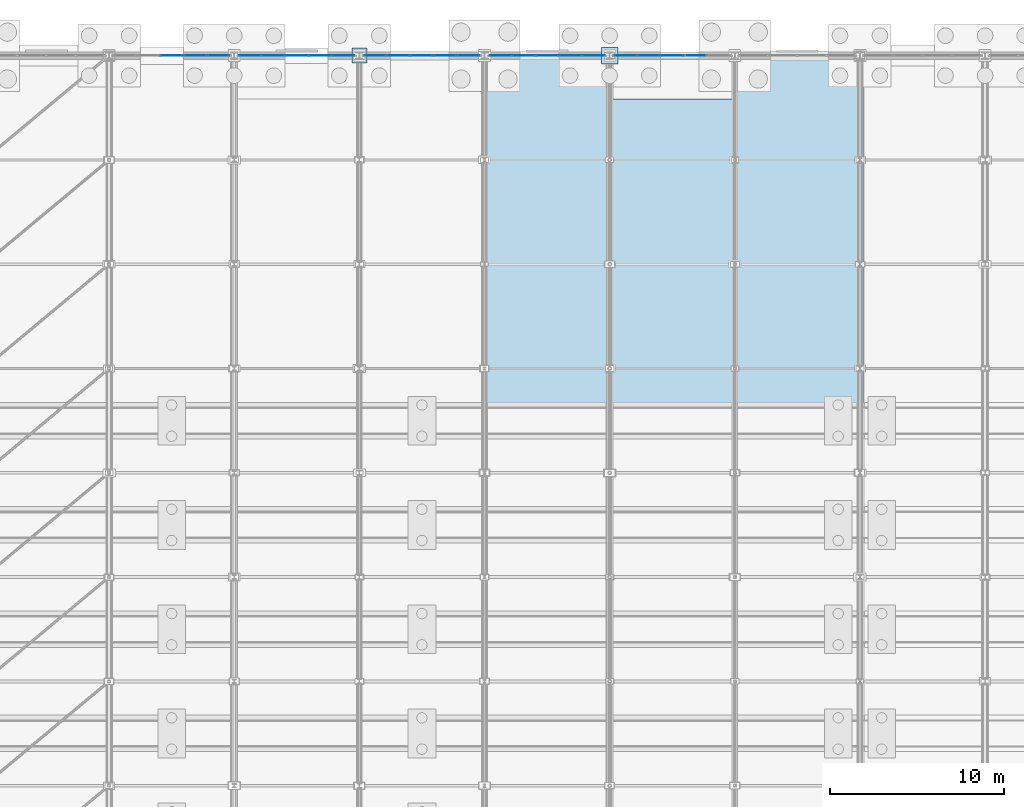
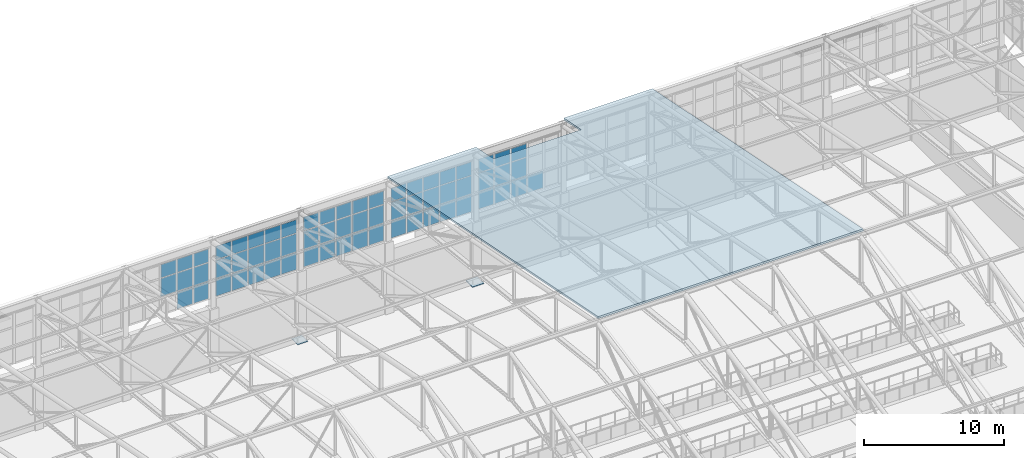
# One storey, part 252 of 293: 65 plates, 1 slab, 5 elements without a shape of their own.
"""IFC4 building model written with IfcOpenShell, lengths in metres."""

from ifc_helpers import new_model, si_unit, direction, frame, origin, origin_2d, place, context, subcontext, project, spatial, polyline, rectangle, outline, extrude, material, layer, layer_set, type_object, element, aggregate, save


model = new_model("IFC4")

# Units and contexts
model_context = context("Model", 3, precision=1e-05, world=origin(), true_north=direction((0.0, 1.0)))
body_context = subcontext(model_context, "Body", "Model", "MODEL_VIEW")
ifc_project = project(units=[si_unit("LENGTHUNIT", "METRE"), si_unit("AREAUNIT", "SQUARE_METRE"), si_unit("VOLUMEUNIT", "CUBIC_METRE"), si_unit("PLANEANGLEUNIT", "RADIAN"), si_unit("MASSUNIT", "GRAM", prefix="KILO")], contexts=[model_context])

# Site, building, storey
site_placement = place(None, origin())
site = spatial("IfcSite", under=ifc_project, at=site_placement, CompositionType="ELEMENT")
building_placement = place(site_placement, origin())
building = spatial("IfcBuilding", under=site, at=building_placement, Name="Kemerveld Promenade Tramway Depot", CompositionType="ELEMENT")
storey_placement = place(building_placement, origin())
storey = spatial("IfcBuildingStorey", under=building, at=storey_placement, Name="L00", CompositionType="ELEMENT", Elevation=0.0)

# Curtain wall, plates
ifc_material_1 = material(Name="Bronze anodised aluminium and solar glass", Category="aluminium")
ifc_layer_1 = layer(ifc_material_1, 0.199951171875)
ifc_layer_set_1 = layer_set([ifc_layer_1], Name="CW-SYS-12")
curtain_wall_type_1 = type_object("IfcCurtainWallType", Name="CW-SYS-12", PredefinedType="USERDEFINED", material=ifc_layer_set_1)
curtain_wall_1_placement = place(storey_placement, origin())
curtain_wall_1 = element("IfcCurtainWall", 1, at=curtain_wall_1_placement, inside=storey, type_object=curtain_wall_type_1, Name="CW-V1-N-12", ObjectType="GLAZED_CURTAIN_WALL", PredefinedType="USERDEFINED")
ifc_material_2 = material(Name="Solar-control laminated double glazing", Category="glass")
ifc_layer_2 = layer(ifc_material_2, 0.031982421875)
ifc_layer_set_2 = layer_set([ifc_layer_2], Name="CW-PNL-04")
plate_type_1 = type_object("IfcPlateType", Name="CW-PNL-04", PredefinedType="CURTAIN_PANEL", material=ifc_layer_set_2)
plate_1_placement = place(storey_placement, frame((118.800048828125, 144.0, 7.79052734375), z_axis=(0.0, 0.0, 1.0), x_axis=(1.0, 0.0, 0.0)))
plate_1 = element("IfcPlate", 2, at=plate_1_placement, type_object=plate_type_1, Name="CW12 panel 3.2", PredefinedType="CURTAIN_PANEL", context=body_context, shape_type="SweptSolid", body=[
    extrude(rectangle(XDim=1.275634765625, YDim=0.031982421875, at=origin_2d()), origin(), (0.0, 0.0, 1.0), 1.5810546875),
])
plate_2_placement = place(storey_placement, frame((118.800048828125, 144.0, 9.4365234375), z_axis=(0.0, 0.0, 1.0), x_axis=(1.0, 0.0, 0.0)))
plate_2 = element("IfcPlate", 3, at=plate_2_placement, type_object=plate_type_1, Name="CW12 panel 3.3", PredefinedType="CURTAIN_PANEL", context=body_context, shape_type="SweptSolid", body=[
    extrude(rectangle(XDim=1.275634765625, YDim=0.031982421875, at=origin_2d()), origin(), (0.0, 0.0, 1.0), 1.1484375),
])
plate_3_placement = place(storey_placement, frame((120.150634765625, 144.0, 6.26513671875), z_axis=(0.0, 0.0, 1.0), x_axis=(1.0, 0.0, 0.0)))
plate_3 = element("IfcPlate", 4, at=plate_3_placement, type_object=plate_type_1, Name="CW12 panel 4.1", PredefinedType="CURTAIN_PANEL", context=body_context, shape_type="SweptSolid", body=[
    extrude(rectangle(XDim=1.275634765625, YDim=0.031982421875, at=origin_2d()), origin(), (0.0, 0.0, 1.0), 1.46044921875),
])
plate_4_placement = place(storey_placement, frame((120.150634765625, 144.0, 7.79052734375), z_axis=(0.0, 0.0, 1.0), x_axis=(1.0, 0.0, 0.0)))
plate_4 = element("IfcPlate", 5, at=plate_4_placement, type_object=plate_type_1, Name="CW12 panel 4.2", PredefinedType="CURTAIN_PANEL", context=body_context, shape_type="SweptSolid", body=[
    extrude(rectangle(XDim=1.275634765625, YDim=0.031982421875, at=origin_2d()), origin(), (0.0, 0.0, 1.0), 1.5810546875),
])
plate_5_placement = place(storey_placement, frame((120.150634765625, 144.0, 9.4365234375), z_axis=(0.0, 0.0, 1.0), x_axis=(1.0, 0.0, 0.0)))
plate_5 = element("IfcPlate", 6, at=plate_5_placement, type_object=plate_type_1, Name="CW12 panel 4.3", PredefinedType="CURTAIN_PANEL", context=body_context, shape_type="SweptSolid", body=[
    extrude(rectangle(XDim=1.275634765625, YDim=0.031982421875, at=origin_2d()), origin(), (0.0, 0.0, 1.0), 1.1484375),
])
plate_6_placement = place(storey_placement, frame((121.482666015625, 144.0, 6.26513671875), z_axis=(0.0, 0.0, 1.0), x_axis=(1.0, 0.0, 0.0)))
plate_6 = element("IfcPlate", 7, at=plate_6_placement, type_object=plate_type_1, Name="CW12 panel 5.1", PredefinedType="CURTAIN_PANEL", context=body_context, shape_type="SweptSolid", body=[
    extrude(rectangle(XDim=1.23828125, YDim=0.031982421875, at=origin_2d()), origin(), (0.0, 0.0, 1.0), 1.46044921875),
])
plate_7_placement = place(storey_placement, frame((121.482666015625, 144.0, 7.79052734375), z_axis=(0.0, 0.0, 1.0), x_axis=(1.0, 0.0, 0.0)))
plate_7 = element("IfcPlate", 8, at=plate_7_placement, type_object=plate_type_1, Name="CW12 panel 5.2", PredefinedType="CURTAIN_PANEL", context=body_context, shape_type="SweptSolid", body=[
    extrude(rectangle(XDim=1.23828125, YDim=0.031982421875, at=origin_2d()), origin(), (0.0, 0.0, 1.0), 1.5810546875),
])
plate_8_placement = place(storey_placement, frame((121.482666015625, 144.0, 9.4365234375), z_axis=(0.0, 0.0, 1.0), x_axis=(1.0, 0.0, 0.0)))
plate_8 = element("IfcPlate", 9, at=plate_8_placement, type_object=plate_type_1, Name="CW12 panel 5.3", PredefinedType="CURTAIN_PANEL", context=body_context, shape_type="SweptSolid", body=[
    extrude(rectangle(XDim=1.23828125, YDim=0.031982421875, at=origin_2d()), origin(), (0.0, 0.0, 1.0), 1.1484375),
])
aggregate(curtain_wall_1, [plate_1, plate_2, plate_3, plate_4, plate_5, plate_6, plate_7, plate_8])

ifc_layer_3 = layer(ifc_material_1, 0.159912109375)
ifc_layer_set_3 = layer_set([ifc_layer_3], Name="CW-SYS-13")
curtain_wall_type_2 = type_object("IfcCurtainWallType", Name="CW-SYS-13", PredefinedType="USERDEFINED", material=ifc_layer_set_3)
curtain_wall_2_placement = place(storey_placement, origin())
curtain_wall_2 = element("IfcCurtainWall", 10, at=curtain_wall_2_placement, inside=storey, type_object=curtain_wall_type_2, Name="CW-V1-N-13", ObjectType="GLAZED_CURTAIN_WALL", PredefinedType="USERDEFINED")
ifc_layer_4 = layer(ifc_material_2, 0.031982421875)
ifc_layer_set_4 = layer_set([ifc_layer_4], Name="CW-PNL-05")
plate_type_2 = type_object("IfcPlateType", Name="CW-PNL-05", PredefinedType="CURTAIN_PANEL", material=ifc_layer_set_4)
plate_9_placement = place(storey_placement, frame((123.314697265625, 144.0, 6.259765625), z_axis=(0.0, 0.0, 1.0), x_axis=(1.0, 0.0, 0.0)))
plate_9 = element("IfcPlate", 11, at=plate_9_placement, type_object=plate_type_2, Name="CW13 panel 1.1", PredefinedType="CURTAIN_PANEL", context=body_context, shape_type="SweptSolid", body=[
    extrude(rectangle(XDim=1.253173828125, YDim=0.031982421875, at=origin_2d()), origin(), (0.0, 0.0, 1.0), 1.468017578125),
])
plate_10_placement = place(storey_placement, frame((123.314697265625, 144.0, 7.7880859375), z_axis=(0.0, 0.0, 1.0), x_axis=(1.0, 0.0, 0.0)))
plate_10 = element("IfcPlate", 12, at=plate_10_placement, type_object=plate_type_2, Name="CW13 panel 1.2", PredefinedType="CURTAIN_PANEL", context=body_context, shape_type="SweptSolid", body=[
    extrude(rectangle(XDim=1.253173828125, YDim=0.031982421875, at=origin_2d()), origin(), (0.0, 0.0, 1.0), 1.5859375),
])
plate_11_placement = place(storey_placement, frame((123.314697265625, 144.0, 9.43408203125), z_axis=(0.0, 0.0, 1.0), x_axis=(1.0, 0.0, 0.0)))
plate_11 = element("IfcPlate", 13, at=plate_11_placement, type_object=plate_type_2, Name="CW13 panel 1.3", PredefinedType="CURTAIN_PANEL", context=body_context, shape_type="SweptSolid", body=[
    extrude(rectangle(XDim=1.253173828125, YDim=0.031982421875, at=origin_2d()), origin(), (0.0, 0.0, 1.0), 1.156005859375),
])
plate_12_placement = place(storey_placement, frame((124.649169921875, 144.0, 6.259765625), z_axis=(0.0, 0.0, 1.0), x_axis=(1.0, 0.0, 0.0)))
plate_12 = element("IfcPlate", 14, at=plate_12_placement, type_object=plate_type_2, Name="CW13 panel 2.1", PredefinedType="CURTAIN_PANEL", context=body_context, shape_type="SweptSolid", body=[
    extrude(rectangle(XDim=1.28564453125, YDim=0.031982421875, at=origin_2d()), origin(), (0.0, 0.0, 1.0), 1.468017578125),
])
plate_13_placement = place(storey_placement, frame((124.649169921875, 144.0, 7.7880859375), z_axis=(0.0, 0.0, 1.0), x_axis=(1.0, 0.0, 0.0)))
plate_13 = element("IfcPlate", 15, at=plate_13_placement, type_object=plate_type_2, Name="CW13 panel 2.2", PredefinedType="CURTAIN_PANEL", context=body_context, shape_type="SweptSolid", body=[
    extrude(rectangle(XDim=1.28564453125, YDim=0.031982421875, at=origin_2d()), origin(), (0.0, 0.0, 1.0), 1.5859375),
])
plate_14_placement = place(storey_placement, frame((124.649169921875, 144.0, 9.43408203125), z_axis=(0.0, 0.0, 1.0), x_axis=(1.0, 0.0, 0.0)))
plate_14 = element("IfcPlate", 16, at=plate_14_placement, type_object=plate_type_2, Name="CW13 panel 2.3", PredefinedType="CURTAIN_PANEL", context=body_context, shape_type="SweptSolid", body=[
    extrude(rectangle(XDim=1.28564453125, YDim=0.031982421875, at=origin_2d()), origin(), (0.0, 0.0, 1.0), 1.156005859375),
])
plate_15_placement = place(storey_placement, frame((126.0, 144.0, 6.259765625), z_axis=(0.0, 0.0, 1.0), x_axis=(1.0, 0.0, 0.0)))
plate_15 = element("IfcPlate", 17, at=plate_15_placement, type_object=plate_type_2, Name="CW13 panel 3.1", PredefinedType="CURTAIN_PANEL", context=body_context, shape_type="SweptSolid", body=[
    extrude(rectangle(XDim=1.28564453125, YDim=0.031982421875, at=origin_2d()), origin(), (0.0, 0.0, 1.0), 1.468017578125),
])
plate_16_placement = place(storey_placement, frame((126.0, 144.0, 7.7880859375), z_axis=(0.0, 0.0, 1.0), x_axis=(1.0, 0.0, 0.0)))
plate_16 = element("IfcPlate", 18, at=plate_16_placement, type_object=plate_type_2, Name="CW13 panel 3.2", PredefinedType="CURTAIN_PANEL", context=body_context, shape_type="SweptSolid", body=[
    extrude(rectangle(XDim=1.28564453125, YDim=0.031982421875, at=origin_2d()), origin(), (0.0, 0.0, 1.0), 1.5859375),
])
plate_17_placement = place(storey_placement, frame((126.0, 144.0, 9.43408203125), z_axis=(0.0, 0.0, 1.0), x_axis=(1.0, 0.0, 0.0)))
plate_17 = element("IfcPlate", 19, at=plate_17_placement, type_object=plate_type_2, Name="CW13 panel 3.3", PredefinedType="CURTAIN_PANEL", context=body_context, shape_type="SweptSolid", body=[
    extrude(rectangle(XDim=1.28564453125, YDim=0.031982421875, at=origin_2d()), origin(), (0.0, 0.0, 1.0), 1.156005859375),
])
plate_18_placement = place(storey_placement, frame((127.350830078125, 144.0, 6.259765625), z_axis=(0.0, 0.0, 1.0), x_axis=(1.0, 0.0, 0.0)))
plate_18 = element("IfcPlate", 20, at=plate_18_placement, type_object=plate_type_2, Name="CW13 panel 4.1", PredefinedType="CURTAIN_PANEL", context=body_context, shape_type="SweptSolid", body=[
    extrude(rectangle(XDim=1.28564453125, YDim=0.031982421875, at=origin_2d()), origin(), (0.0, 0.0, 1.0), 1.468017578125),
])
plate_19_placement = place(storey_placement, frame((127.350830078125, 144.0, 7.7880859375), z_axis=(0.0, 0.0, 1.0), x_axis=(1.0, 0.0, 0.0)))
plate_19 = element("IfcPlate", 21, at=plate_19_placement, type_object=plate_type_2, Name="CW13 panel 4.2", PredefinedType="CURTAIN_PANEL", context=body_context, shape_type="SweptSolid", body=[
    extrude(rectangle(XDim=1.28564453125, YDim=0.031982421875, at=origin_2d()), origin(), (0.0, 0.0, 1.0), 1.5859375),
])
plate_20_placement = place(storey_placement, frame((127.350830078125, 144.0, 9.43408203125), z_axis=(0.0, 0.0, 1.0), x_axis=(1.0, 0.0, 0.0)))
plate_20 = element("IfcPlate", 22, at=plate_20_placement, type_object=plate_type_2, Name="CW13 panel 4.3", PredefinedType="CURTAIN_PANEL", context=body_context, shape_type="SweptSolid", body=[
    extrude(rectangle(XDim=1.28564453125, YDim=0.031982421875, at=origin_2d()), origin(), (0.0, 0.0, 1.0), 1.156005859375),
])
plate_21_placement = place(storey_placement, frame((128.685302734375, 144.0, 6.259765625), z_axis=(0.0, 0.0, 1.0), x_axis=(1.0, 0.0, 0.0)))
plate_21 = element("IfcPlate", 23, at=plate_21_placement, type_object=plate_type_2, Name="CW13 panel 5.1", PredefinedType="CURTAIN_PANEL", context=body_context, shape_type="SweptSolid", body=[
    extrude(rectangle(XDim=1.253173828125, YDim=0.031982421875, at=origin_2d()), origin(), (0.0, 0.0, 1.0), 1.468017578125),
])
plate_22_placement = place(storey_placement, frame((128.685302734375, 144.0, 7.7880859375), z_axis=(0.0, 0.0, 1.0), x_axis=(1.0, 0.0, 0.0)))
plate_22 = element("IfcPlate", 24, at=plate_22_placement, type_object=plate_type_2, Name="CW13 panel 5.2", PredefinedType="CURTAIN_PANEL", context=body_context, shape_type="SweptSolid", body=[
    extrude(rectangle(XDim=1.253173828125, YDim=0.031982421875, at=origin_2d()), origin(), (0.0, 0.0, 1.0), 1.5859375),
])
plate_23_placement = place(storey_placement, frame((128.685302734375, 144.0, 9.43408203125), z_axis=(0.0, 0.0, 1.0), x_axis=(1.0, 0.0, 0.0)))
plate_23 = element("IfcPlate", 25, at=plate_23_placement, type_object=plate_type_2, Name="CW13 panel 5.3", PredefinedType="CURTAIN_PANEL", context=body_context, shape_type="SweptSolid", body=[
    extrude(rectangle(XDim=1.253173828125, YDim=0.031982421875, at=origin_2d()), origin(), (0.0, 0.0, 1.0), 1.156005859375),
])
aggregate(curtain_wall_2, [plate_9, plate_10, plate_11, plate_12, plate_13, plate_14, plate_15, plate_16, plate_17, plate_18, plate_19, plate_20, plate_21, plate_22, plate_23])

ifc_layer_5 = layer(ifc_material_1, 0.199951171875)
ifc_layer_set_5 = layer_set([ifc_layer_5], Name="CW-SYS-14")
curtain_wall_type_3 = type_object("IfcCurtainWallType", Name="CW-SYS-14", PredefinedType="USERDEFINED", material=ifc_layer_set_5)
curtain_wall_3_placement = place(storey_placement, origin())
curtain_wall_3 = element("IfcCurtainWall", 26, at=curtain_wall_3_placement, inside=storey, type_object=curtain_wall_type_3, Name="CW-V1-N-14", ObjectType="GLAZED_CURTAIN_WALL", PredefinedType="USERDEFINED")
ifc_layer_6 = layer(ifc_material_2, 0.02587890625)
ifc_layer_set_6 = layer_set([ifc_layer_6], Name="CW-PNL-06")
plate_type_3 = type_object("IfcPlateType", Name="CW-PNL-06", PredefinedType="CURTAIN_PANEL", material=ifc_layer_set_6)
plate_24_placement = place(storey_placement, frame((130.517333984375, 144.0, 6.26513671875), z_axis=(0.0, 0.0, 1.0), x_axis=(1.0, 0.0, 0.0)))
plate_24 = element("IfcPlate", 27, at=plate_24_placement, type_object=plate_type_3, Name="CW14 panel 1.1", PredefinedType="CURTAIN_PANEL", context=body_context, shape_type="SweptSolid", body=[
    extrude(rectangle(XDim=1.23828125, YDim=0.02587890625, at=origin_2d()), origin(), (0.0, 0.0, 1.0), 1.46044921875),
])
plate_25_placement = place(storey_placement, frame((130.517333984375, 144.0, 7.79052734375), z_axis=(0.0, 0.0, 1.0), x_axis=(1.0, 0.0, 0.0)))
plate_25 = element("IfcPlate", 28, at=plate_25_placement, type_object=plate_type_3, Name="CW14 panel 1.2", PredefinedType="CURTAIN_PANEL", context=body_context, shape_type="SweptSolid", body=[
    extrude(rectangle(XDim=1.23828125, YDim=0.02587890625, at=origin_2d()), origin(), (0.0, 0.0, 1.0), 1.5810546875),
])
plate_26_placement = place(storey_placement, frame((130.517333984375, 144.0, 9.4365234375), z_axis=(0.0, 0.0, 1.0), x_axis=(1.0, 0.0, 0.0)))
plate_26 = element("IfcPlate", 29, at=plate_26_placement, type_object=plate_type_3, Name="CW14 panel 1.3", PredefinedType="CURTAIN_PANEL", context=body_context, shape_type="SweptSolid", body=[
    extrude(rectangle(XDim=1.23828125, YDim=0.02587890625, at=origin_2d()), origin(), (0.0, 0.0, 1.0), 1.1484375),
])
plate_27_placement = place(storey_placement, frame((131.849365234375, 144.0, 6.26513671875), z_axis=(0.0, 0.0, 1.0), x_axis=(1.0, 0.0, 0.0)))
plate_27 = element("IfcPlate", 30, at=plate_27_placement, type_object=plate_type_3, Name="CW14 panel 2.1", PredefinedType="CURTAIN_PANEL", context=body_context, shape_type="SweptSolid", body=[
    extrude(rectangle(XDim=1.275634765625, YDim=0.02587890625, at=origin_2d()), origin(), (0.0, 0.0, 1.0), 1.46044921875),
])
plate_28_placement = place(storey_placement, frame((131.849365234375, 144.0, 7.79052734375), z_axis=(0.0, 0.0, 1.0), x_axis=(1.0, 0.0, 0.0)))
plate_28 = element("IfcPlate", 31, at=plate_28_placement, type_object=plate_type_3, Name="CW14 panel 2.2", PredefinedType="CURTAIN_PANEL", context=body_context, shape_type="SweptSolid", body=[
    extrude(rectangle(XDim=1.275634765625, YDim=0.02587890625, at=origin_2d()), origin(), (0.0, 0.0, 1.0), 1.5810546875),
])
plate_29_placement = place(storey_placement, frame((131.849365234375, 144.0, 9.4365234375), z_axis=(0.0, 0.0, 1.0), x_axis=(1.0, 0.0, 0.0)))
plate_29 = element("IfcPlate", 32, at=plate_29_placement, type_object=plate_type_3, Name="CW14 panel 2.3", PredefinedType="CURTAIN_PANEL", context=body_context, shape_type="SweptSolid", body=[
    extrude(rectangle(XDim=1.275634765625, YDim=0.02587890625, at=origin_2d()), origin(), (0.0, 0.0, 1.0), 1.1484375),
])
plate_30_placement = place(storey_placement, frame((133.199951171875, 144.0, 6.26513671875), z_axis=(0.0, 0.0, 1.0), x_axis=(1.0, 0.0, 0.0)))
plate_30 = element("IfcPlate", 33, at=plate_30_placement, type_object=plate_type_3, Name="CW14 panel 3.1", PredefinedType="CURTAIN_PANEL", context=body_context, shape_type="SweptSolid", body=[
    extrude(rectangle(XDim=1.275634765625, YDim=0.02587890625, at=origin_2d()), origin(), (0.0, 0.0, 1.0), 1.46044921875),
])
plate_31_placement = place(storey_placement, frame((133.199951171875, 144.0, 7.79052734375), z_axis=(0.0, 0.0, 1.0), x_axis=(1.0, 0.0, 0.0)))
plate_31 = element("IfcPlate", 34, at=plate_31_placement, type_object=plate_type_3, Name="CW14 panel 3.2", PredefinedType="CURTAIN_PANEL", context=body_context, shape_type="SweptSolid", body=[
    extrude(rectangle(XDim=1.275634765625, YDim=0.02587890625, at=origin_2d()), origin(), (0.0, 0.0, 1.0), 1.5810546875),
])
plate_32_placement = place(storey_placement, frame((133.199951171875, 144.0, 9.4365234375), z_axis=(0.0, 0.0, 1.0), x_axis=(1.0, 0.0, 0.0)))
plate_32 = element("IfcPlate", 35, at=plate_32_placement, type_object=plate_type_3, Name="CW14 panel 3.3", PredefinedType="CURTAIN_PANEL", context=body_context, shape_type="SweptSolid", body=[
    extrude(rectangle(XDim=1.275634765625, YDim=0.02587890625, at=origin_2d()), origin(), (0.0, 0.0, 1.0), 1.1484375),
])
plate_33_placement = place(storey_placement, frame((134.55078125, 144.0, 6.26513671875), z_axis=(0.0, 0.0, 1.0), x_axis=(1.0, 0.0, 0.0)))
plate_33 = element("IfcPlate", 36, at=plate_33_placement, type_object=plate_type_3, Name="CW14 panel 4.1", PredefinedType="CURTAIN_PANEL", context=body_context, shape_type="SweptSolid", body=[
    extrude(rectangle(XDim=1.275634765625, YDim=0.02587890625, at=origin_2d()), origin(), (0.0, 0.0, 1.0), 1.46044921875),
])
plate_34_placement = place(storey_placement, frame((134.55078125, 144.0, 7.79052734375), z_axis=(0.0, 0.0, 1.0), x_axis=(1.0, 0.0, 0.0)))
plate_34 = element("IfcPlate", 37, at=plate_34_placement, type_object=plate_type_3, Name="CW14 panel 4.2", PredefinedType="CURTAIN_PANEL", context=body_context, shape_type="SweptSolid", body=[
    extrude(rectangle(XDim=1.275634765625, YDim=0.02587890625, at=origin_2d()), origin(), (0.0, 0.0, 1.0), 1.5810546875),
])
plate_35_placement = place(storey_placement, frame((134.55078125, 144.0, 9.4365234375), z_axis=(0.0, 0.0, 1.0), x_axis=(1.0, 0.0, 0.0)))
plate_35 = element("IfcPlate", 38, at=plate_35_placement, type_object=plate_type_3, Name="CW14 panel 4.3", PredefinedType="CURTAIN_PANEL", context=body_context, shape_type="SweptSolid", body=[
    extrude(rectangle(XDim=1.275634765625, YDim=0.02587890625, at=origin_2d()), origin(), (0.0, 0.0, 1.0), 1.1484375),
])
plate_36_placement = place(storey_placement, frame((135.882568359375, 144.0, 6.26513671875), z_axis=(0.0, 0.0, 1.0), x_axis=(1.0, 0.0, 0.0)))
plate_36 = element("IfcPlate", 39, at=plate_36_placement, type_object=plate_type_3, Name="CW14 panel 5.1", PredefinedType="CURTAIN_PANEL", context=body_context, shape_type="SweptSolid", body=[
    extrude(rectangle(XDim=1.23828125, YDim=0.02587890625, at=origin_2d()), origin(), (0.0, 0.0, 1.0), 1.46044921875),
])
plate_37_placement = place(storey_placement, frame((135.882568359375, 144.0, 7.79052734375), z_axis=(0.0, 0.0, 1.0), x_axis=(1.0, 0.0, 0.0)))
plate_37 = element("IfcPlate", 40, at=plate_37_placement, type_object=plate_type_3, Name="CW14 panel 5.2", PredefinedType="CURTAIN_PANEL", context=body_context, shape_type="SweptSolid", body=[
    extrude(rectangle(XDim=1.23828125, YDim=0.02587890625, at=origin_2d()), origin(), (0.0, 0.0, 1.0), 1.5810546875),
])
plate_38_placement = place(storey_placement, frame((135.882568359375, 144.0, 9.4365234375), z_axis=(0.0, 0.0, 1.0), x_axis=(1.0, 0.0, 0.0)))
plate_38 = element("IfcPlate", 41, at=plate_38_placement, type_object=plate_type_3, Name="CW14 panel 5.3", PredefinedType="CURTAIN_PANEL", context=body_context, shape_type="SweptSolid", body=[
    extrude(rectangle(XDim=1.23828125, YDim=0.02587890625, at=origin_2d()), origin(), (0.0, 0.0, 1.0), 1.1484375),
])
aggregate(curtain_wall_3, [plate_24, plate_25, plate_26, plate_27, plate_28, plate_29, plate_30, plate_31, plate_32, plate_33, plate_34, plate_35, plate_36, plate_37, plate_38])

ifc_layer_7 = layer(ifc_material_1, 0.159912109375)
ifc_layer_set_7 = layer_set([ifc_layer_7], Name="CW-SYS-01")
curtain_wall_type_4 = type_object("IfcCurtainWallType", Name="CW-SYS-01", PredefinedType="USERDEFINED", material=ifc_layer_set_7)
curtain_wall_4_placement = place(storey_placement, origin())
curtain_wall_4 = element("IfcCurtainWall", 42, at=curtain_wall_4_placement, inside=storey, type_object=curtain_wall_type_4, Name="CW-V1-N-15", ObjectType="GLAZED_CURTAIN_WALL", PredefinedType="USERDEFINED")
ifc_layer_8 = layer(ifc_material_2, 0.030029296875)
ifc_layer_set_8 = layer_set([ifc_layer_8], Name="CW-PNL-07")
plate_type_4 = type_object("IfcPlateType", Name="CW-PNL-07", PredefinedType="CURTAIN_PANEL", material=ifc_layer_set_8)
plate_39_placement = place(storey_placement, frame((137.71484375, 144.0, 6.259765625), z_axis=(0.0, 0.0, 1.0), x_axis=(1.0, 0.0, 0.0)))
plate_39 = element("IfcPlate", 43, at=plate_39_placement, type_object=plate_type_4, Name="CW01 panel 1.1", PredefinedType="CURTAIN_PANEL", context=body_context, shape_type="SweptSolid", body=[
    extrude(rectangle(XDim=1.253173828125, YDim=0.030029296875, at=origin_2d()), origin(), (0.0, 0.0, 1.0), 1.468017578125),
])
plate_40_placement = place(storey_placement, frame((137.71484375, 144.0, 7.7880859375), z_axis=(0.0, 0.0, 1.0), x_axis=(1.0, 0.0, 0.0)))
plate_40 = element("IfcPlate", 44, at=plate_40_placement, type_object=plate_type_4, Name="CW01 panel 1.2", PredefinedType="CURTAIN_PANEL", context=body_context, shape_type="SweptSolid", body=[
    extrude(rectangle(XDim=1.253173828125, YDim=0.030029296875, at=origin_2d()), origin(), (0.0, 0.0, 1.0), 1.5859375),
])
plate_41_placement = place(storey_placement, frame((137.71484375, 144.0, 9.43408203125), z_axis=(0.0, 0.0, 1.0), x_axis=(1.0, 0.0, 0.0)))
plate_41 = element("IfcPlate", 45, at=plate_41_placement, type_object=plate_type_4, Name="CW01 panel 1.3", PredefinedType="CURTAIN_PANEL", context=body_context, shape_type="SweptSolid", body=[
    extrude(rectangle(XDim=1.253173828125, YDim=0.030029296875, at=origin_2d()), origin(), (0.0, 0.0, 1.0), 1.156005859375),
])
plate_42_placement = place(storey_placement, frame((139.04931640625, 144.0, 6.259765625), z_axis=(0.0, 0.0, 1.0), x_axis=(1.0, 0.0, 0.0)))
plate_42 = element("IfcPlate", 46, at=plate_42_placement, type_object=plate_type_4, Name="CW01 panel 2.1", PredefinedType="CURTAIN_PANEL", context=body_context, shape_type="SweptSolid", body=[
    extrude(rectangle(XDim=1.28564453125, YDim=0.030029296875, at=origin_2d()), origin(), (0.0, 0.0, 1.0), 1.468017578125),
])
plate_43_placement = place(storey_placement, frame((139.04931640625, 144.0, 7.7880859375), z_axis=(0.0, 0.0, 1.0), x_axis=(1.0, 0.0, 0.0)))
plate_43 = element("IfcPlate", 47, at=plate_43_placement, type_object=plate_type_4, Name="CW01 panel 2.2", PredefinedType="CURTAIN_PANEL", context=body_context, shape_type="SweptSolid", body=[
    extrude(rectangle(XDim=1.28564453125, YDim=0.030029296875, at=origin_2d()), origin(), (0.0, 0.0, 1.0), 1.5859375),
])
plate_44_placement = place(storey_placement, frame((139.04931640625, 144.0, 9.43408203125), z_axis=(0.0, 0.0, 1.0), x_axis=(1.0, 0.0, 0.0)))
plate_44 = element("IfcPlate", 48, at=plate_44_placement, type_object=plate_type_4, Name="CW01 panel 2.3", PredefinedType="CURTAIN_PANEL", context=body_context, shape_type="SweptSolid", body=[
    extrude(rectangle(XDim=1.28564453125, YDim=0.030029296875, at=origin_2d()), origin(), (0.0, 0.0, 1.0), 1.156005859375),
])
plate_45_placement = place(storey_placement, frame((140.39990234375, 144.0, 6.259765625), z_axis=(0.0, 0.0, 1.0), x_axis=(1.0, 0.0, 0.0)))
plate_45 = element("IfcPlate", 49, at=plate_45_placement, type_object=plate_type_4, Name="CW01 panel 3.1", PredefinedType="CURTAIN_PANEL", context=body_context, shape_type="SweptSolid", body=[
    extrude(rectangle(XDim=1.28564453125, YDim=0.030029296875, at=origin_2d()), origin(), (0.0, 0.0, 1.0), 1.468017578125),
])
plate_46_placement = place(storey_placement, frame((140.39990234375, 144.0, 7.7880859375), z_axis=(0.0, 0.0, 1.0), x_axis=(1.0, 0.0, 0.0)))
plate_46 = element("IfcPlate", 50, at=plate_46_placement, type_object=plate_type_4, Name="CW01 panel 3.2", PredefinedType="CURTAIN_PANEL", context=body_context, shape_type="SweptSolid", body=[
    extrude(rectangle(XDim=1.28564453125, YDim=0.030029296875, at=origin_2d()), origin(), (0.0, 0.0, 1.0), 1.5859375),
])
plate_47_placement = place(storey_placement, frame((140.39990234375, 144.0, 9.43408203125), z_axis=(0.0, 0.0, 1.0), x_axis=(1.0, 0.0, 0.0)))
plate_47 = element("IfcPlate", 51, at=plate_47_placement, type_object=plate_type_4, Name="CW01 panel 3.3", PredefinedType="CURTAIN_PANEL", context=body_context, shape_type="SweptSolid", body=[
    extrude(rectangle(XDim=1.28564453125, YDim=0.030029296875, at=origin_2d()), origin(), (0.0, 0.0, 1.0), 1.156005859375),
])
plate_48_placement = place(storey_placement, frame((141.750732421875, 144.0, 6.259765625), z_axis=(0.0, 0.0, 1.0), x_axis=(1.0, 0.0, 0.0)))
plate_48 = element("IfcPlate", 52, at=plate_48_placement, type_object=plate_type_4, Name="CW01 panel 4.1", PredefinedType="CURTAIN_PANEL", context=body_context, shape_type="SweptSolid", body=[
    extrude(rectangle(XDim=1.28564453125, YDim=0.030029296875, at=origin_2d()), origin(), (0.0, 0.0, 1.0), 1.468017578125),
])
plate_49_placement = place(storey_placement, frame((141.750732421875, 144.0, 7.7880859375), z_axis=(0.0, 0.0, 1.0), x_axis=(1.0, 0.0, 0.0)))
plate_49 = element("IfcPlate", 53, at=plate_49_placement, type_object=plate_type_4, Name="CW01 panel 4.2", PredefinedType="CURTAIN_PANEL", context=body_context, shape_type="SweptSolid", body=[
    extrude(rectangle(XDim=1.28564453125, YDim=0.030029296875, at=origin_2d()), origin(), (0.0, 0.0, 1.0), 1.5859375),
])
plate_50_placement = place(storey_placement, frame((141.750732421875, 144.0, 9.43408203125), z_axis=(0.0, 0.0, 1.0), x_axis=(1.0, 0.0, 0.0)))
plate_50 = element("IfcPlate", 54, at=plate_50_placement, type_object=plate_type_4, Name="CW01 panel 4.3", PredefinedType="CURTAIN_PANEL", context=body_context, shape_type="SweptSolid", body=[
    extrude(rectangle(XDim=1.28564453125, YDim=0.030029296875, at=origin_2d()), origin(), (0.0, 0.0, 1.0), 1.156005859375),
])
plate_51_placement = place(storey_placement, frame((143.085205078125, 144.0, 6.259765625), z_axis=(0.0, 0.0, 1.0), x_axis=(1.0, 0.0, 0.0)))
plate_51 = element("IfcPlate", 55, at=plate_51_placement, type_object=plate_type_4, Name="CW01 panel 5.1", PredefinedType="CURTAIN_PANEL", context=body_context, shape_type="SweptSolid", body=[
    extrude(rectangle(XDim=1.253173828125, YDim=0.030029296875, at=origin_2d()), origin(), (0.0, 0.0, 1.0), 1.468017578125),
])
plate_52_placement = place(storey_placement, frame((143.085205078125, 144.0, 7.7880859375), z_axis=(0.0, 0.0, 1.0), x_axis=(1.0, 0.0, 0.0)))
plate_52 = element("IfcPlate", 56, at=plate_52_placement, type_object=plate_type_4, Name="CW01 panel 5.2", PredefinedType="CURTAIN_PANEL", context=body_context, shape_type="SweptSolid", body=[
    extrude(rectangle(XDim=1.253173828125, YDim=0.030029296875, at=origin_2d()), origin(), (0.0, 0.0, 1.0), 1.5859375),
])
plate_53_placement = place(storey_placement, frame((143.085205078125, 144.0, 9.43408203125), z_axis=(0.0, 0.0, 1.0), x_axis=(1.0, 0.0, 0.0)))
plate_53 = element("IfcPlate", 57, at=plate_53_placement, type_object=plate_type_4, Name="CW01 panel 5.3", PredefinedType="CURTAIN_PANEL", context=body_context, shape_type="SweptSolid", body=[
    extrude(rectangle(XDim=1.253173828125, YDim=0.030029296875, at=origin_2d()), origin(), (0.0, 0.0, 1.0), 1.156005859375),
])
aggregate(curtain_wall_4, [plate_39, plate_40, plate_41, plate_42, plate_43, plate_44, plate_45, plate_46, plate_47, plate_48, plate_49, plate_50, plate_51, plate_52, plate_53])

ifc_layer_9 = layer(ifc_material_1, 0.199951171875)
ifc_layer_set_9 = layer_set([ifc_layer_9], Name="CW-SYS-02")
curtain_wall_type_5 = type_object("IfcCurtainWallType", Name="CW-SYS-02", PredefinedType="USERDEFINED", material=ifc_layer_set_9)
curtain_wall_5_placement = place(storey_placement, origin())
curtain_wall_5 = element("IfcCurtainWall", 58, at=curtain_wall_5_placement, inside=storey, type_object=curtain_wall_type_5, Name="CW-V1-N-16", ObjectType="GLAZED_CURTAIN_WALL", PredefinedType="USERDEFINED")
ifc_layer_10 = layer(ifc_material_2, 0.028076171875)
ifc_layer_set_10 = layer_set([ifc_layer_10], Name="CW-PNL-08")
plate_type_5 = type_object("IfcPlateType", Name="CW-PNL-08", PredefinedType="CURTAIN_PANEL", material=ifc_layer_set_10)
plate_54_placement = place(storey_placement, frame((144.917236328125, 144.0, 6.26513671875), z_axis=(0.0, 0.0, 1.0), x_axis=(1.0, 0.0, 0.0)))
plate_54 = element("IfcPlate", 59, at=plate_54_placement, type_object=plate_type_5, Name="CW02 panel 1.1", PredefinedType="CURTAIN_PANEL", context=body_context, shape_type="SweptSolid", body=[
    extrude(rectangle(XDim=1.23828125, YDim=0.028076171875, at=origin_2d()), origin(), (0.0, 0.0, 1.0), 1.46044921875),
])
plate_55_placement = place(storey_placement, frame((144.917236328125, 144.0, 7.79052734375), z_axis=(0.0, 0.0, 1.0), x_axis=(1.0, 0.0, 0.0)))
plate_55 = element("IfcPlate", 60, at=plate_55_placement, type_object=plate_type_5, Name="CW02 panel 1.2", PredefinedType="CURTAIN_PANEL", context=body_context, shape_type="SweptSolid", body=[
    extrude(rectangle(XDim=1.23828125, YDim=0.028076171875, at=origin_2d()), origin(), (0.0, 0.0, 1.0), 1.5810546875),
])
plate_56_placement = place(storey_placement, frame((144.917236328125, 144.0, 9.4365234375), z_axis=(0.0, 0.0, 1.0), x_axis=(1.0, 0.0, 0.0)))
plate_56 = element("IfcPlate", 61, at=plate_56_placement, type_object=plate_type_5, Name="CW02 panel 1.3", PredefinedType="CURTAIN_PANEL", context=body_context, shape_type="SweptSolid", body=[
    extrude(rectangle(XDim=1.23828125, YDim=0.028076171875, at=origin_2d()), origin(), (0.0, 0.0, 1.0), 1.1484375),
])
plate_57_placement = place(storey_placement, frame((146.249267578125, 144.0, 6.26513671875), z_axis=(0.0, 0.0, 1.0), x_axis=(1.0, 0.0, 0.0)))
plate_57 = element("IfcPlate", 62, at=plate_57_placement, type_object=plate_type_5, Name="CW02 panel 2.1", PredefinedType="CURTAIN_PANEL", context=body_context, shape_type="SweptSolid", body=[
    extrude(rectangle(XDim=1.275634765625, YDim=0.028076171875, at=origin_2d()), origin(), (0.0, 0.0, 1.0), 1.46044921875),
])
plate_58_placement = place(storey_placement, frame((146.249267578125, 144.0, 7.79052734375), z_axis=(0.0, 0.0, 1.0), x_axis=(1.0, 0.0, 0.0)))
plate_58 = element("IfcPlate", 63, at=plate_58_placement, type_object=plate_type_5, Name="CW02 panel 2.2", PredefinedType="CURTAIN_PANEL", context=body_context, shape_type="SweptSolid", body=[
    extrude(rectangle(XDim=1.275634765625, YDim=0.028076171875, at=origin_2d()), origin(), (0.0, 0.0, 1.0), 1.5810546875),
])
plate_59_placement = place(storey_placement, frame((146.249267578125, 144.0, 9.4365234375), z_axis=(0.0, 0.0, 1.0), x_axis=(1.0, 0.0, 0.0)))
plate_59 = element("IfcPlate", 64, at=plate_59_placement, type_object=plate_type_5, Name="CW02 panel 2.3", PredefinedType="CURTAIN_PANEL", context=body_context, shape_type="SweptSolid", body=[
    extrude(rectangle(XDim=1.275634765625, YDim=0.028076171875, at=origin_2d()), origin(), (0.0, 0.0, 1.0), 1.1484375),
])
plate_60_placement = place(storey_placement, frame((147.60009765625, 144.0, 6.26513671875), z_axis=(0.0, 0.0, 1.0), x_axis=(1.0, 0.0, 0.0)))
plate_60 = element("IfcPlate", 65, at=plate_60_placement, type_object=plate_type_5, Name="CW02 panel 3.1", PredefinedType="CURTAIN_PANEL", context=body_context, shape_type="SweptSolid", body=[
    extrude(rectangle(XDim=1.275634765625, YDim=0.028076171875, at=origin_2d()), origin(), (0.0, 0.0, 1.0), 1.46044921875),
])
plate_61_placement = place(storey_placement, frame((147.60009765625, 144.0, 7.79052734375), z_axis=(0.0, 0.0, 1.0), x_axis=(1.0, 0.0, 0.0)))
plate_61 = element("IfcPlate", 66, at=plate_61_placement, type_object=plate_type_5, Name="CW02 panel 3.2", PredefinedType="CURTAIN_PANEL", context=body_context, shape_type="SweptSolid", body=[
    extrude(rectangle(XDim=1.275634765625, YDim=0.028076171875, at=origin_2d()), origin(), (0.0, 0.0, 1.0), 1.5810546875),
])
plate_62_placement = place(storey_placement, frame((147.60009765625, 144.0, 9.4365234375), z_axis=(0.0, 0.0, 1.0), x_axis=(1.0, 0.0, 0.0)))
plate_62 = element("IfcPlate", 67, at=plate_62_placement, type_object=plate_type_5, Name="CW02 panel 3.3", PredefinedType="CURTAIN_PANEL", context=body_context, shape_type="SweptSolid", body=[
    extrude(rectangle(XDim=1.275634765625, YDim=0.028076171875, at=origin_2d()), origin(), (0.0, 0.0, 1.0), 1.1484375),
])
plate_63_placement = place(storey_placement, frame((148.95068359375, 144.0, 6.26513671875), z_axis=(0.0, 0.0, 1.0), x_axis=(1.0, 0.0, 0.0)))
plate_63 = element("IfcPlate", 68, at=plate_63_placement, type_object=plate_type_5, Name="CW02 panel 4.1", PredefinedType="CURTAIN_PANEL", context=body_context, shape_type="SweptSolid", body=[
    extrude(rectangle(XDim=1.275634765625, YDim=0.028076171875, at=origin_2d()), origin(), (0.0, 0.0, 1.0), 1.46044921875),
])
aggregate(curtain_wall_5, [plate_54, plate_55, plate_56, plate_57, plate_58, plate_59, plate_60, plate_61, plate_62, plate_63])

# Plates
ifc_material_3 = material(Name="Steel S355", Category="steel")
ifc_layer_11 = layer(ifc_material_3, 0.0400390625)
ifc_layer_set_11 = layer_set([ifc_layer_11], Name="PL-BP02")
plate_type_6 = type_object("IfcPlateType", Name="PL-BP02", PredefinedType="USERDEFINED", material=ifc_layer_set_11)
plate_64_placement = place(storey_placement, frame((129.60009765625, 144.0, 0.0), z_axis=(0.0, 0.0, 1.0), x_axis=(1.0, 0.0, 0.0)))
element("IfcPlate", 69, at=plate_64_placement, inside=storey, type_object=plate_type_6, Name="BP-19-U", ObjectType="BASE_PLATE", PredefinedType="USERDEFINED", context=body_context, shape_type="SweptSolid", body=[
    extrude(rectangle(XDim=0.85009765625, YDim=0.85009765625, at=origin_2d()), origin(), (0.0, 0.0, 1.0), 0.0400390625),
])
ifc_layer_12 = layer(ifc_material_3, 0.050048828125)
ifc_layer_set_12 = layer_set([ifc_layer_12], Name="PL-BP09")
plate_type_7 = type_object("IfcPlateType", Name="PL-BP09", PredefinedType="USERDEFINED", material=ifc_layer_set_12)
plate_65_placement = place(storey_placement, frame((144.0, 144.0, 0.0), z_axis=(0.0, 0.0, 1.0), x_axis=(1.0, 0.0, 0.0)))
element("IfcPlate", 70, at=plate_65_placement, inside=storey, type_object=plate_type_7, Name="BP-21-U", ObjectType="BASE_PLATE", PredefinedType="USERDEFINED", context=body_context, shape_type="SweptSolid", body=[
    extrude(rectangle(XDim=0.949951171875, YDim=0.949951171875, at=origin_2d()), origin(), (0.0, 0.0, 1.0), 0.050048828125),
])

# Slab
ifc_material_4 = material(Name="Concrete C35/45", Category="concrete")
ifc_layer_13 = layer(ifc_material_4, 0.159912109375)
ifc_layer_set_13 = layer_set([ifc_layer_13], Name="SL-RF02")
slab_type = type_object("IfcSlabType", Name="SL-RF02", PredefinedType="ROOF", material=ifc_layer_set_13)
slab_placement = place(storey_placement, frame((136.800048828125, 114.0, 17.719970703125), z_axis=(0.0, 0.196116135138, 0.980580675691), x_axis=(1.0, 0.0, 0.0)))
element("IfcSlab", 71, at=slab_placement, inside=storey, type_object=slab_type, Name="SLB-RF-V1N-S5", PredefinedType="ROOF", context=body_context, shape_type="SweptSolid", body=[
    extrude(outline(polyline([(0.0, 0.0), (21.800048828125, 0.0), (21.800048828125, 30.594117081556707), (14.5, 30.594117081556707), (14.5, 28.044607324760314), (7.300048828125, 28.044607324760314), (7.300048828125, 30.594117081556707), (0.0, 30.594117081556707), (0.0, 0.0)])), origin(), (0.0, 0.0, -1.0), 0.159912109375),
])

save(model, "model.ifc")
